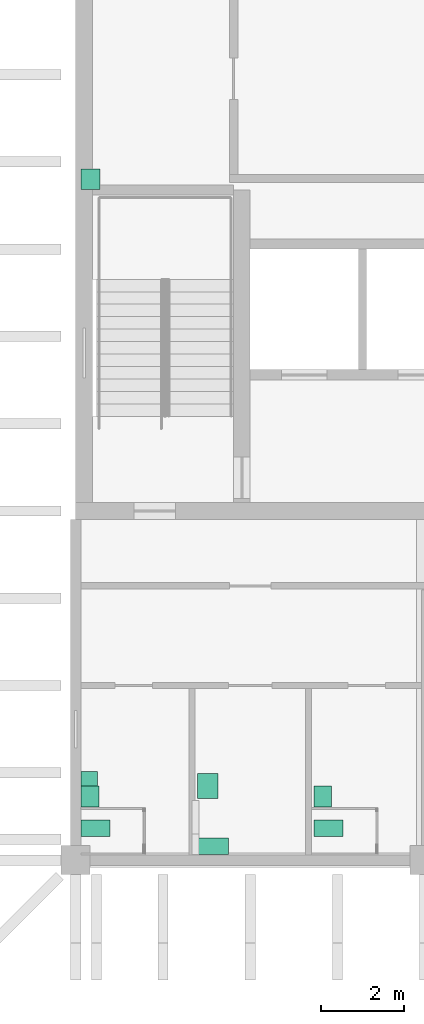
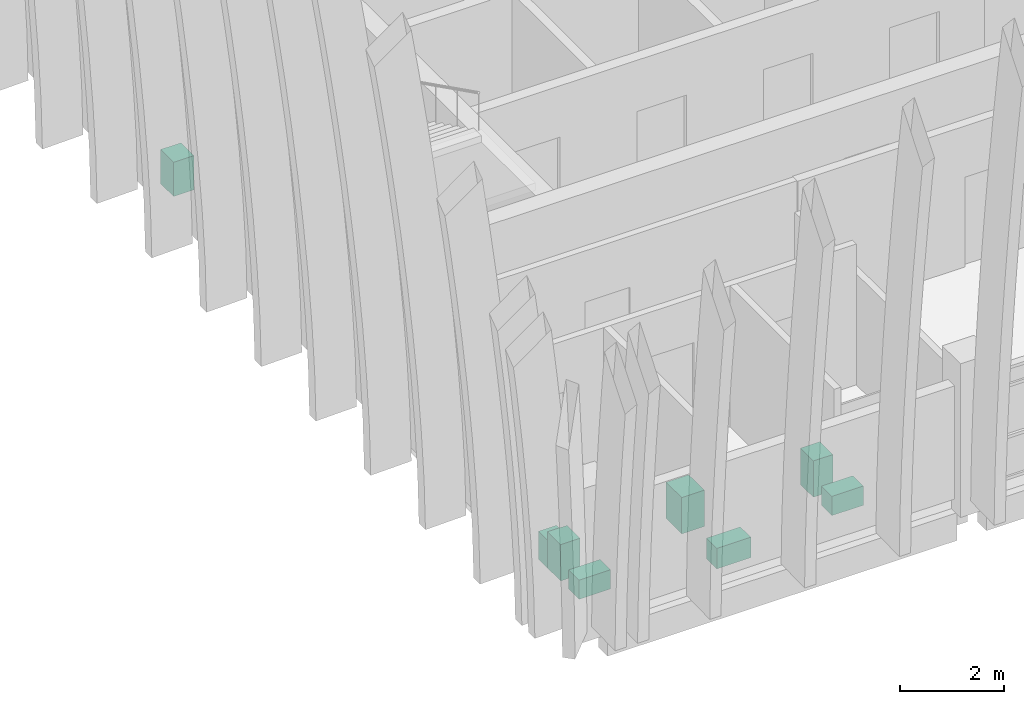
# One storey, part 19 of 19: 8 sanitary terminals.
"""IFC4 building model written with IfcOpenShell, lengths in metres."""

from ifc_helpers import new_model, si_unit, direction, frame, origin, origin_2d, place, context, subcontext, project, spatial, rectangle, extrude, material, type_object, element, save


model = new_model("IFC4")

# Units and contexts
model_context = context("Model", 3, precision=1e-05, world=origin(), true_north=direction((0.0, 1.0)))
body_context = subcontext(model_context, "Body", "Model", "MODEL_VIEW")
ifc_project = project(units=[si_unit("LENGTHUNIT", "METRE"), si_unit("AREAUNIT", "SQUARE_METRE"), si_unit("VOLUMEUNIT", "CUBIC_METRE"), si_unit("PLANEANGLEUNIT", "RADIAN"), si_unit("MASSUNIT", "GRAM", prefix="KILO")], contexts=[model_context])

# Site, building, storey
site_placement = place(None, origin())
site = spatial("IfcSite", under=ifc_project, at=site_placement, CompositionType="ELEMENT")
building_placement = place(site_placement, origin())
building = spatial("IfcBuilding", under=site, at=building_placement, Name="Rulbaag Community and Learning Centre", CompositionType="ELEMENT")
storey_placement = place(building_placement, frame((0.0, 0.0, 57.60009765625)))
storey = spatial("IfcBuildingStorey", under=building, at=storey_placement, Name="L15", CompositionType="ELEMENT", Elevation=57.60009765625)

# Sanitary terminals
ifc_material_1 = material(Name="Vitreous china", Category="ceramic")
sanitary_terminal_type_1 = type_object("IfcSanitaryTerminalType", Name="BS-500", PredefinedType="WASHHANDBASIN", material=ifc_material_1)
for number, where, z_axis, x_axis, name in (
    (1, (143.14501953125, 85.530029296875, -0.000244140625), (0.0, 0.0, 1.0), (1.0, 0.0, 0.0), "Basin 108"),
    (2, (148.7451171875, 85.530029296875, -0.000244140625), (0.0, 0.0, 1.0), (1.0, 0.0, 0.0), "Basin 109"),
):
    element("IfcSanitaryTerminal", number, at=place(storey_placement, frame(where, z_axis=z_axis, x_axis=x_axis)), inside=storey, type_object=sanitary_terminal_type_1, Name=name, PredefinedType="WASHHANDBASIN", context=body_context, shape_type="SweptSolid", body=[
        extrude(rectangle(XDim=0.429931640625, YDim=0.5, at=origin_2d()), origin(), (0.0, 0.0, 1.0), 0.85009765625),
    ])
sanitary_terminal_type_2 = type_object("IfcSanitaryTerminalType", Name="BS-AC-600", PredefinedType="WASHHANDBASIN", material=ifc_material_1)
sanitary_terminal_1_placement = place(storey_placement, frame((145.97998046875, 85.780029296875, -0.000244140625), z_axis=(0.0, 0.0, 1.0), x_axis=(1.0, 0.0, 0.0)))
element("IfcSanitaryTerminal", 3, at=sanitary_terminal_1_placement, inside=storey, type_object=sanitary_terminal_type_2, Name="Basin 110", PredefinedType="WASHHANDBASIN", context=body_context, shape_type="SweptSolid", body=[
    extrude(rectangle(XDim=0.5, YDim=0.60009765625, at=origin_2d()), origin(), (0.0, 0.0, 1.0), 0.85009765625),
])
ifc_material_2 = material(Name="Stainless steel", Category="steel")
sanitary_terminal_type_3 = type_object("IfcSanitaryTerminalType", Name="SK-CL-500", PredefinedType="SINK", material=ifc_material_2)
sanitary_terminal_2_placement = place(storey_placement, frame((143.155029296875, 100.3798828125, 0.0), z_axis=(0.0, 0.0, 1.0), x_axis=(1.0, 0.0, 0.0)))
element("IfcSanitaryTerminal", 4, at=sanitary_terminal_2_placement, inside=storey, type_object=sanitary_terminal_type_3, Name="Sink 24", PredefinedType="SINK", context=body_context, shape_type="SweptSolid", body=[
    extrude(rectangle(XDim=0.449951171875, YDim=0.5, at=origin_2d()), origin(), (0.0, 0.0, 1.0), 0.800048828125),
])
sanitary_terminal_type_4 = type_object("IfcSanitaryTerminalType", Name="UR-350", PredefinedType="URINAL", material=ifc_material_1)
sanitary_terminal_3_placement = place(storey_placement, frame((143.1298828125, 85.955078125, 0.0), z_axis=(0.0, 0.0, 1.0), x_axis=(1.0, 0.0, 0.0)))
element("IfcSanitaryTerminal", 5, at=sanitary_terminal_3_placement, inside=storey, type_object=sanitary_terminal_type_4, Name="Urinal 165", PredefinedType="URINAL", context=body_context, shape_type="SweptSolid", body=[
    extrude(rectangle(XDim=0.39990234375, YDim=0.35009765625, at=origin_2d()), origin(), (0.0, 0.0, 1.0), 0.64990234375),
])
sanitary_terminal_type_5 = type_object("IfcSanitaryTerminalType", Name="WC-400", PredefinedType="TOILETPAN", material=ifc_material_1)
for number, where, z_axis, x_axis, name in (
    (6, (143.280029296875, 84.77001953125, 0.0), (0.0, 0.0, 1.0), (1.0, 0.0, 0.0), "WC 169"),
    (7, (148.8798828125, 84.77001953125, 0.0), (0.0, 0.0, 1.0), (1.0, 0.0, 0.0), "WC 170"),
):
    element("IfcSanitaryTerminal", number, at=place(storey_placement, frame(where, z_axis=z_axis, x_axis=x_axis)), inside=storey, type_object=sanitary_terminal_type_5, Name=name, PredefinedType="TOILETPAN", context=body_context, shape_type="SweptSolid", body=[
        extrude(rectangle(XDim=0.699951171875, YDim=0.39990234375, at=origin_2d()), origin(), (0.0, 0.0, 1.0), 0.449951171875),
    ])
sanitary_terminal_type_6 = type_object("IfcSanitaryTerminalType", Name="WC-AC-480", PredefinedType="TOILETPAN", material=ifc_material_1)
sanitary_terminal_4_placement = place(storey_placement, frame((146.10498046875, 84.330078125, 0.0), z_axis=(0.0, 0.0, 1.0), x_axis=(1.0, 0.0, 0.0)))
element("IfcSanitaryTerminal", 8, at=sanitary_terminal_4_placement, inside=storey, type_object=sanitary_terminal_type_6, Name="WC 171", PredefinedType="TOILETPAN", context=body_context, shape_type="SweptSolid", body=[
    extrude(rectangle(XDim=0.75, YDim=0.39990234375, at=origin_2d()), origin(), (0.0, 0.0, 1.0), 0.47998046875),
])

save(model, "model.ifc")
